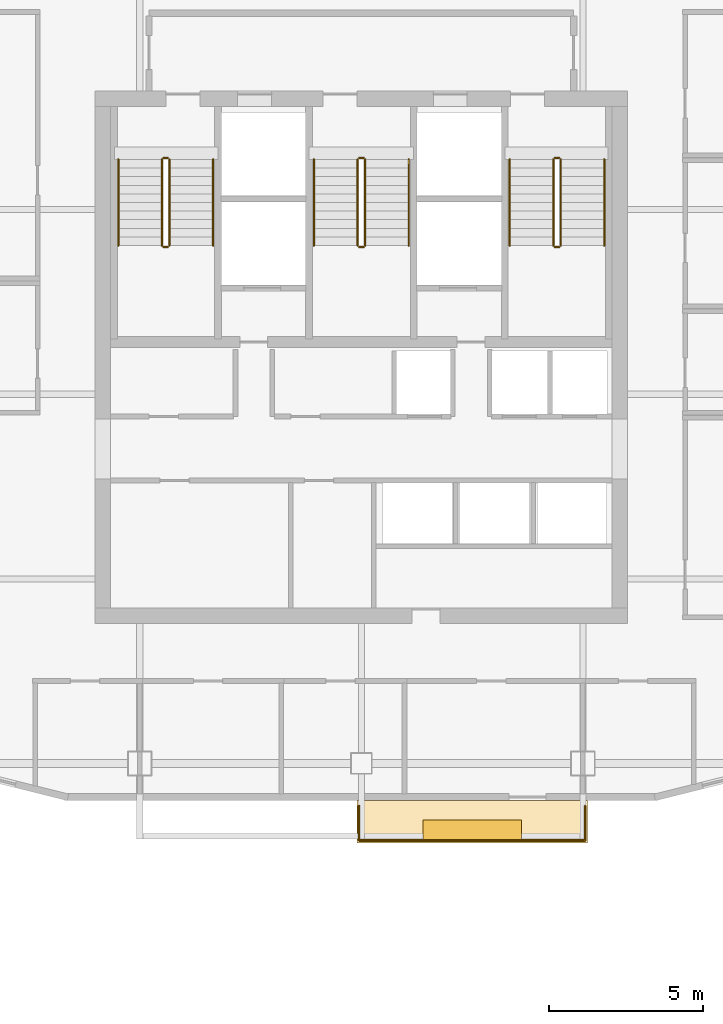
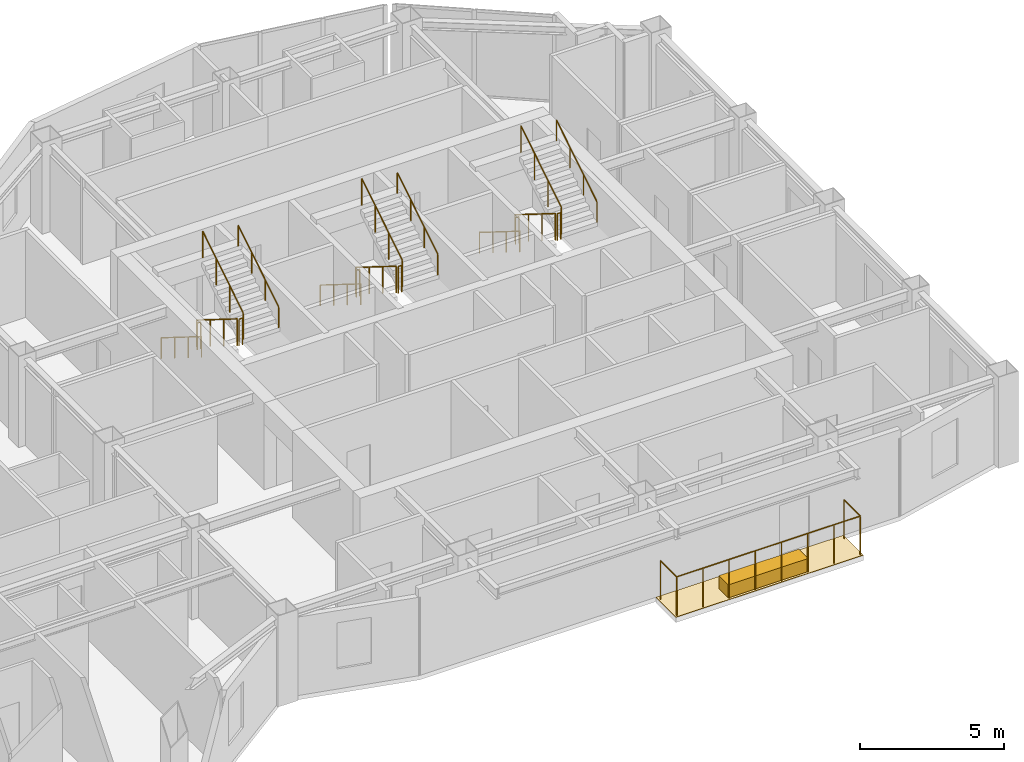
# One storey, part 10 of 10: 20 railings, 2 coverings.
"""IFC4 building model written with IfcOpenShell, lengths in metres."""

from ifc_helpers import new_model, si_unit, direction, frame, origin, origin_2d, place, context, subcontext, project, spatial, polyline, rectangle, circle, outline, extrude, material, layer, layer_set, type_object, element, save


model = new_model("IFC4")

# Units and contexts
model_context = context("Model", 3, precision=1e-05, world=origin(), true_north=direction((0.0, 1.0)))
body_context = subcontext(model_context, "Body", "Model", "MODEL_VIEW")
ifc_project = project(units=[si_unit("LENGTHUNIT", "METRE"), si_unit("AREAUNIT", "SQUARE_METRE"), si_unit("VOLUMEUNIT", "CUBIC_METRE"), si_unit("PLANEANGLEUNIT", "RADIAN"), si_unit("MASSUNIT", "GRAM", prefix="KILO")], contexts=[model_context])

# Site, building, storey
site_placement = place(None, origin())
site = spatial("IfcSite", under=ifc_project, at=site_placement, CompositionType="ELEMENT")
building_placement = place(site_placement, origin())
building = spatial("IfcBuilding", under=site, at=building_placement, Name="Haolan Belvedere Tower", CompositionType="ELEMENT")
storey_placement = place(building_placement, frame((0.0, 0.0, 258.300048828125)))
storey = spatial("IfcBuildingStorey", under=building, at=storey_placement, Name="L65", CompositionType="ELEMENT", Elevation=258.300048828125)

# Coverings
ifc_material_1 = material(Name="Engineered lightweight planted garden soil substrate", Category="masonry")
ifc_layer_1 = layer(ifc_material_1, 0.550048828125, Name="Engineered lightweight planted garden soil substrate")
ifc_layer_set_1 = layer_set([ifc_layer_1], Name="Engineered lightweight planted garden soil substrate")
covering_type_1 = type_object("IfcCoveringType", Name="COV-PLANT-550", PredefinedType="MEMBRANE", material=ifc_layer_set_1)
covering_1_placement = place(storey_placement, frame((42.0, 19.43994140625, 0.0), z_axis=(0.0, 0.0, 1.0), x_axis=(1.0, 0.0, 0.0)))
element("IfcCovering", 1, at=covering_1_placement, inside=storey, type_object=covering_type_1, Name="L65 structural tree balcony PLANTER box 1", PredefinedType="MEMBRANE", context=body_context, shape_type="SweptSolid", body=[
    extrude(rectangle(XDim=3.199951171875, YDim=0.64990234375, at=origin_2d()), origin(), (0.0, 0.0, 1.0), 0.550048828125),
])
ifc_material_2 = material(Name="Elastomeric waterproof roofing membrane and stone pavers", Category="masonry")
ifc_layer_2 = layer(ifc_material_2, 0.02001953125, Name="Elastomeric waterproof roofing membrane and stone pavers")
ifc_layer_set_2 = layer_set([ifc_layer_2], Name="Elastomeric waterproof roofing membrane and stone pavers")
covering_type_2 = type_object("IfcCoveringType", Name="COV-ROOF-20", PredefinedType="ROOFING", material=ifc_layer_set_2)
covering_2_placement = place(storey_placement, frame((0.0, 0.0, -0.02001953125)))
element("IfcCovering", 2, at=covering_2_placement, inside=storey, type_object=covering_type_2, Name="L65 tree-balcony waterproof membrane 1", PredefinedType="ROOFING", context=body_context, shape_type="SweptSolid", body=[
    extrude(outline(polyline([(38.25, 19.02001953125), (45.75, 19.02001953125), (45.75, 20.39990234375), (38.25, 20.39990234375), (38.25, 19.02001953125)])), origin(), (0.0, 0.0, 1.0), 0.02001953125),
])

# Railings
ifc_material_3 = material(Name="Brushed stainless steel 304", Category="steel")
railing_type_1 = type_object("IfcRailingType", Name="RL-STAIR-GRD-1150", PredefinedType="GUARDRAIL", material=ifc_material_3)
railing_1_placement = place(storey_placement, frame((31.919921875, 41.22998046875, 0.175048828125)))
element("IfcRailing", 3, at=railing_1_placement, inside=storey, type_object=railing_type_1, Name="L65 ST1 stair guard 1", PredefinedType="GUARDRAIL", context=body_context, shape_type="SweptSolid", body=[
    extrude(circle(Radius=0.02392578125, at=origin_2d()), frame((0.0, 0.0, 1.1259765625), z_axis=(0.0, -0.848002457836, 0.529992293815), x_axis=(1.0, 0.0, 0.0)), (0.0, 0.0, 1.0), 3.302001953125),
    extrude(circle(Radius=0.02099609375, at=origin_2d()), origin(), (0.0, 0.0, 1.0), 1.101806640625),
    extrude(circle(Radius=0.02099609375, at=origin_2d()), frame((0.0, -0.933349609375, 0.583251953125)), (0.0, 0.0, 1.0), 1.101806640625),
    extrude(circle(Radius=0.02099609375, at=origin_2d()), frame((0.0, -1.86669921875, 1.166748046875)), (0.0, 0.0, 1.0), 1.101806640625),
    extrude(circle(Radius=0.02099609375, at=origin_2d()), frame((0.0, -2.800048828125, 1.75)), (0.0, 0.0, 1.0), 1.101806640625),
])
railing_2_placement = place(storey_placement, frame((31.969970703125, 38.3798828125, 1.925048828125)))
element("IfcRailing", 4, at=railing_2_placement, inside=storey, type_object=railing_type_1, Name="L65 ST1 stair guard 2", PredefinedType="GUARDRAIL", context=body_context, shape_type="SweptSolid", body=[
    extrude(circle(Radius=0.02392578125, at=origin_2d()), frame((0.0, 0.0, 1.1259765625), z_axis=(1.0, 0.0, 0.0), x_axis=(0.0, 1.0, 0.0)), (0.0, 0.0, 1.0), 0.14013671875),
    extrude(circle(Radius=0.02099609375, at=origin_2d()), origin(), (0.0, 0.0, 1.0), 1.101806640625),
    extrude(circle(Radius=0.02099609375, at=origin_2d()), frame((0.14013671875, 0.0, 0.0)), (0.0, 0.0, 1.0), 1.101806640625),
])
railing_3_placement = place(storey_placement, frame((32.159912109375, 38.429931640625, 2.099853515625)))
element("IfcRailing", 5, at=railing_3_placement, inside=storey, type_object=railing_type_1, Name="L65 ST1 stair guard 3", PredefinedType="GUARDRAIL", context=body_context, shape_type="SweptSolid", body=[
    extrude(circle(Radius=0.02392578125, at=origin_2d()), frame((0.0, 0.0, 1.1259765625), z_axis=(0.0, 0.848002457836, 0.529992293815), x_axis=(-1.0, 0.0, 0.0)), (0.0, 0.0, 1.0), 3.302001953125),
    extrude(circle(Radius=0.02099609375, at=origin_2d()), origin(), (0.0, 0.0, 1.0), 1.101806640625),
    extrude(circle(Radius=0.02099609375, at=origin_2d()), frame((0.0, 0.933349609375, 0.583251953125)), (0.0, 0.0, 1.0), 1.101806640625),
    extrude(circle(Radius=0.02099609375, at=origin_2d()), frame((0.0, 1.86669921875, 1.166748046875)), (0.0, 0.0, 1.0), 1.101806640625),
    extrude(circle(Radius=0.02099609375, at=origin_2d()), frame((0.0, 2.800048828125, 1.75)), (0.0, 0.0, 1.0), 1.101806640625),
])
railing_4_placement = place(storey_placement, frame((31.969970703125, 41.280029296875, 0.0)))
element("IfcRailing", 6, at=railing_4_placement, inside=storey, type_object=railing_type_1, Name="L65 ST1 stair guard 4", PredefinedType="GUARDRAIL", context=body_context, shape_type="SweptSolid", body=[
    extrude(circle(Radius=0.02392578125, at=origin_2d()), frame((0.0, 0.0, 1.1259765625), z_axis=(1.0, 0.0, 0.0), x_axis=(0.0, 1.0, 0.0)), (0.0, 0.0, 1.0), 0.14013671875),
    extrude(circle(Radius=0.02099609375, at=origin_2d()), origin(), (0.0, 0.0, 1.0), 1.101806640625),
    extrude(circle(Radius=0.02099609375, at=origin_2d()), frame((0.14013671875, 0.0, 0.0)), (0.0, 0.0, 1.0), 1.101806640625),
])
railing_5_placement = place(storey_placement, frame((38.280029296875, 41.22998046875, 0.175048828125)))
element("IfcRailing", 7, at=railing_5_placement, inside=storey, type_object=railing_type_1, Name="L65 ST3 stair guard 1", PredefinedType="GUARDRAIL", context=body_context, shape_type="SweptSolid", body=[
    extrude(circle(Radius=0.02392578125, at=origin_2d()), frame((0.0, 0.0, 1.1259765625), z_axis=(0.0, -0.848002457836, 0.529992293815), x_axis=(1.0, 0.0, 0.0)), (0.0, 0.0, 1.0), 3.302001953125),
    extrude(circle(Radius=0.02099609375, at=origin_2d()), origin(), (0.0, 0.0, 1.0), 1.101806640625),
    extrude(circle(Radius=0.02099609375, at=origin_2d()), frame((0.0, -0.933349609375, 0.583251953125)), (0.0, 0.0, 1.0), 1.101806640625),
    extrude(circle(Radius=0.02099609375, at=origin_2d()), frame((0.0, -1.86669921875, 1.166748046875)), (0.0, 0.0, 1.0), 1.101806640625),
    extrude(circle(Radius=0.02099609375, at=origin_2d()), frame((0.0, -2.800048828125, 1.75)), (0.0, 0.0, 1.0), 1.101806640625),
])
railing_6_placement = place(storey_placement, frame((38.330078125, 38.3798828125, 1.925048828125)))
element("IfcRailing", 8, at=railing_6_placement, inside=storey, type_object=railing_type_1, Name="L65 ST3 stair guard 2", PredefinedType="GUARDRAIL", context=body_context, shape_type="SweptSolid", body=[
    extrude(circle(Radius=0.02392578125, at=origin_2d()), frame((0.0, 0.0, 1.1259765625), z_axis=(1.0, 0.0, 0.0), x_axis=(0.0, 1.0, 0.0)), (0.0, 0.0, 1.0), 0.139892578125),
    extrude(circle(Radius=0.02099609375, at=origin_2d()), origin(), (0.0, 0.0, 1.0), 1.101806640625),
    extrude(circle(Radius=0.02099609375, at=origin_2d()), frame((0.139892578125, 0.0, 0.0)), (0.0, 0.0, 1.0), 1.101806640625),
])
railing_7_placement = place(storey_placement, frame((38.52001953125, 38.429931640625, 2.099853515625)))
element("IfcRailing", 9, at=railing_7_placement, inside=storey, type_object=railing_type_1, Name="L65 ST3 stair guard 3", PredefinedType="GUARDRAIL", context=body_context, shape_type="SweptSolid", body=[
    extrude(circle(Radius=0.02392578125, at=origin_2d()), frame((0.0, 0.0, 1.1259765625), z_axis=(0.0, 0.848002457836, 0.529992293815), x_axis=(-1.0, 0.0, 0.0)), (0.0, 0.0, 1.0), 3.302001953125),
    extrude(circle(Radius=0.02099609375, at=origin_2d()), origin(), (0.0, 0.0, 1.0), 1.101806640625),
    extrude(circle(Radius=0.02099609375, at=origin_2d()), frame((0.0, 0.933349609375, 0.583251953125)), (0.0, 0.0, 1.0), 1.101806640625),
    extrude(circle(Radius=0.02099609375, at=origin_2d()), frame((0.0, 1.86669921875, 1.166748046875)), (0.0, 0.0, 1.0), 1.101806640625),
    extrude(circle(Radius=0.02099609375, at=origin_2d()), frame((0.0, 2.800048828125, 1.75)), (0.0, 0.0, 1.0), 1.101806640625),
])
railing_8_placement = place(storey_placement, frame((38.330078125, 41.280029296875, 0.0)))
element("IfcRailing", 10, at=railing_8_placement, inside=storey, type_object=railing_type_1, Name="L65 ST3 stair guard 4", PredefinedType="GUARDRAIL", context=body_context, shape_type="SweptSolid", body=[
    extrude(circle(Radius=0.02392578125, at=origin_2d()), frame((0.0, 0.0, 1.1259765625), z_axis=(1.0, 0.0, 0.0), x_axis=(0.0, 1.0, 0.0)), (0.0, 0.0, 1.0), 0.139892578125),
    extrude(circle(Radius=0.02099609375, at=origin_2d()), origin(), (0.0, 0.0, 1.0), 1.101806640625),
    extrude(circle(Radius=0.02099609375, at=origin_2d()), frame((0.139892578125, 0.0, 0.0)), (0.0, 0.0, 1.0), 1.101806640625),
])
railing_9_placement = place(storey_placement, frame((44.639892578125, 41.22998046875, 0.175048828125)))
element("IfcRailing", 11, at=railing_9_placement, inside=storey, type_object=railing_type_1, Name="L65 ST2 stair guard 1", PredefinedType="GUARDRAIL", context=body_context, shape_type="SweptSolid", body=[
    extrude(circle(Radius=0.02392578125, at=origin_2d()), frame((0.0, 0.0, 1.1259765625), z_axis=(0.0, -0.848002457836, 0.529992293815), x_axis=(1.0, 0.0, 0.0)), (0.0, 0.0, 1.0), 3.302001953125),
    extrude(circle(Radius=0.02099609375, at=origin_2d()), origin(), (0.0, 0.0, 1.0), 1.101806640625),
    extrude(circle(Radius=0.02099609375, at=origin_2d()), frame((0.0, -0.933349609375, 0.583251953125)), (0.0, 0.0, 1.0), 1.101806640625),
    extrude(circle(Radius=0.02099609375, at=origin_2d()), frame((0.0, -1.86669921875, 1.166748046875)), (0.0, 0.0, 1.0), 1.101806640625),
    extrude(circle(Radius=0.02099609375, at=origin_2d()), frame((0.0, -2.800048828125, 1.75)), (0.0, 0.0, 1.0), 1.101806640625),
])
railing_10_placement = place(storey_placement, frame((44.68994140625, 38.3798828125, 1.925048828125)))
element("IfcRailing", 12, at=railing_10_placement, inside=storey, type_object=railing_type_1, Name="L65 ST2 stair guard 2", PredefinedType="GUARDRAIL", context=body_context, shape_type="SweptSolid", body=[
    extrude(circle(Radius=0.02392578125, at=origin_2d()), frame((0.0, 0.0, 1.1259765625), z_axis=(1.0, 0.0, 0.0), x_axis=(0.0, 1.0, 0.0)), (0.0, 0.0, 1.0), 0.14013671875),
    extrude(circle(Radius=0.02099609375, at=origin_2d()), origin(), (0.0, 0.0, 1.0), 1.101806640625),
    extrude(circle(Radius=0.02099609375, at=origin_2d()), frame((0.14013671875, 0.0, 0.0)), (0.0, 0.0, 1.0), 1.101806640625),
])
railing_11_placement = place(storey_placement, frame((44.8798828125, 38.429931640625, 2.099853515625)))
element("IfcRailing", 13, at=railing_11_placement, inside=storey, type_object=railing_type_1, Name="L65 ST2 stair guard 3", PredefinedType="GUARDRAIL", context=body_context, shape_type="SweptSolid", body=[
    extrude(circle(Radius=0.02392578125, at=origin_2d()), frame((0.0, 0.0, 1.1259765625), z_axis=(0.0, 0.848002457836, 0.529992293815), x_axis=(-1.0, 0.0, 0.0)), (0.0, 0.0, 1.0), 3.302001953125),
    extrude(circle(Radius=0.02099609375, at=origin_2d()), origin(), (0.0, 0.0, 1.0), 1.101806640625),
    extrude(circle(Radius=0.02099609375, at=origin_2d()), frame((0.0, 0.933349609375, 0.583251953125)), (0.0, 0.0, 1.0), 1.101806640625),
    extrude(circle(Radius=0.02099609375, at=origin_2d()), frame((0.0, 1.86669921875, 1.166748046875)), (0.0, 0.0, 1.0), 1.101806640625),
    extrude(circle(Radius=0.02099609375, at=origin_2d()), frame((0.0, 2.800048828125, 1.75)), (0.0, 0.0, 1.0), 1.101806640625),
])
railing_12_placement = place(storey_placement, frame((44.68994140625, 41.280029296875, 0.0)))
element("IfcRailing", 14, at=railing_12_placement, inside=storey, type_object=railing_type_1, Name="L65 ST2 stair guard 4", PredefinedType="GUARDRAIL", context=body_context, shape_type="SweptSolid", body=[
    extrude(circle(Radius=0.02392578125, at=origin_2d()), frame((0.0, 0.0, 1.1259765625), z_axis=(1.0, 0.0, 0.0), x_axis=(0.0, 1.0, 0.0)), (0.0, 0.0, 1.0), 0.14013671875),
    extrude(circle(Radius=0.02099609375, at=origin_2d()), origin(), (0.0, 0.0, 1.0), 1.101806640625),
    extrude(circle(Radius=0.02099609375, at=origin_2d()), frame((0.14013671875, 0.0, 0.0)), (0.0, 0.0, 1.0), 1.101806640625),
])
railing_type_2 = type_object("IfcRailingType", Name="RL-STAIR-HND-900", PredefinedType="HANDRAIL", material=ifc_material_3)
railing_13_placement = place(storey_placement, frame((30.5, 41.22998046875, 0.175048828125)))
element("IfcRailing", 15, at=railing_13_placement, inside=storey, type_object=railing_type_2, Name="L65 ST1 stair handrail 1", PredefinedType="HANDRAIL", context=body_context, shape_type="SweptSolid", body=[
    extrude(circle(Radius=0.02392578125, at=origin_2d()), frame((0.0, 0.0, 0.8759765625), z_axis=(0.0, -0.848002457836, 0.529992293815), x_axis=(1.0, 0.0, 0.0)), (0.0, 0.0, 1.0), 3.302001953125),
    extrude(circle(Radius=0.02099609375, at=origin_2d()), origin(), (0.0, 0.0, 1.0), 0.851806640625),
    extrude(circle(Radius=0.02099609375, at=origin_2d()), frame((0.0, -0.933349609375, 0.583251953125)), (0.0, 0.0, 1.0), 0.851806640625),
    extrude(circle(Radius=0.02099609375, at=origin_2d()), frame((0.0, -1.86669921875, 1.166748046875)), (0.0, 0.0, 1.0), 0.851806640625),
    extrude(circle(Radius=0.02099609375, at=origin_2d()), frame((0.0, -2.800048828125, 1.75)), (0.0, 0.0, 1.0), 0.851806640625),
])
railing_14_placement = place(storey_placement, frame((33.580078125, 38.429931640625, 2.099853515625)))
element("IfcRailing", 16, at=railing_14_placement, inside=storey, type_object=railing_type_2, Name="L65 ST1 stair handrail 2", PredefinedType="HANDRAIL", context=body_context, shape_type="SweptSolid", body=[
    extrude(circle(Radius=0.02392578125, at=origin_2d()), frame((0.0, 0.0, 0.8759765625), z_axis=(0.0, 0.848002457836, 0.529992293815), x_axis=(-1.0, 0.0, 0.0)), (0.0, 0.0, 1.0), 3.302001953125),
    extrude(circle(Radius=0.02099609375, at=origin_2d()), origin(), (0.0, 0.0, 1.0), 0.851806640625),
    extrude(circle(Radius=0.02099609375, at=origin_2d()), frame((0.0, 0.933349609375, 0.583251953125)), (0.0, 0.0, 1.0), 0.851806640625),
    extrude(circle(Radius=0.02099609375, at=origin_2d()), frame((0.0, 1.86669921875, 1.166748046875)), (0.0, 0.0, 1.0), 0.851806640625),
    extrude(circle(Radius=0.02099609375, at=origin_2d()), frame((0.0, 2.800048828125, 1.75)), (0.0, 0.0, 1.0), 0.851806640625),
])
railing_15_placement = place(storey_placement, frame((36.860107421875, 41.22998046875, 0.175048828125)))
element("IfcRailing", 17, at=railing_15_placement, inside=storey, type_object=railing_type_2, Name="L65 ST3 stair handrail 1", PredefinedType="HANDRAIL", context=body_context, shape_type="SweptSolid", body=[
    extrude(circle(Radius=0.02392578125, at=origin_2d()), frame((0.0, 0.0, 0.8759765625), z_axis=(0.0, -0.848002457836, 0.529992293815), x_axis=(1.0, 0.0, 0.0)), (0.0, 0.0, 1.0), 3.302001953125),
    extrude(circle(Radius=0.02099609375, at=origin_2d()), origin(), (0.0, 0.0, 1.0), 0.851806640625),
    extrude(circle(Radius=0.02099609375, at=origin_2d()), frame((0.0, -0.933349609375, 0.583251953125)), (0.0, 0.0, 1.0), 0.851806640625),
    extrude(circle(Radius=0.02099609375, at=origin_2d()), frame((0.0, -1.86669921875, 1.166748046875)), (0.0, 0.0, 1.0), 0.851806640625),
    extrude(circle(Radius=0.02099609375, at=origin_2d()), frame((0.0, -2.800048828125, 1.75)), (0.0, 0.0, 1.0), 0.851806640625),
])
railing_16_placement = place(storey_placement, frame((39.93994140625, 38.429931640625, 2.099853515625)))
element("IfcRailing", 18, at=railing_16_placement, inside=storey, type_object=railing_type_2, Name="L65 ST3 stair handrail 2", PredefinedType="HANDRAIL", context=body_context, shape_type="SweptSolid", body=[
    extrude(circle(Radius=0.02392578125, at=origin_2d()), frame((0.0, 0.0, 0.8759765625), z_axis=(0.0, 0.848002457836, 0.529992293815), x_axis=(-1.0, 0.0, 0.0)), (0.0, 0.0, 1.0), 3.302001953125),
    extrude(circle(Radius=0.02099609375, at=origin_2d()), origin(), (0.0, 0.0, 1.0), 0.851806640625),
    extrude(circle(Radius=0.02099609375, at=origin_2d()), frame((0.0, 0.933349609375, 0.583251953125)), (0.0, 0.0, 1.0), 0.851806640625),
    extrude(circle(Radius=0.02099609375, at=origin_2d()), frame((0.0, 1.86669921875, 1.166748046875)), (0.0, 0.0, 1.0), 0.851806640625),
    extrude(circle(Radius=0.02099609375, at=origin_2d()), frame((0.0, 2.800048828125, 1.75)), (0.0, 0.0, 1.0), 0.851806640625),
])
railing_17_placement = place(storey_placement, frame((43.219970703125, 41.22998046875, 0.175048828125)))
element("IfcRailing", 19, at=railing_17_placement, inside=storey, type_object=railing_type_2, Name="L65 ST2 stair handrail 1", PredefinedType="HANDRAIL", context=body_context, shape_type="SweptSolid", body=[
    extrude(circle(Radius=0.02392578125, at=origin_2d()), frame((0.0, 0.0, 0.8759765625), z_axis=(0.0, -0.848002457836, 0.529992293815), x_axis=(1.0, 0.0, 0.0)), (0.0, 0.0, 1.0), 3.302001953125),
    extrude(circle(Radius=0.02099609375, at=origin_2d()), origin(), (0.0, 0.0, 1.0), 0.851806640625),
    extrude(circle(Radius=0.02099609375, at=origin_2d()), frame((0.0, -0.933349609375, 0.583251953125)), (0.0, 0.0, 1.0), 0.851806640625),
    extrude(circle(Radius=0.02099609375, at=origin_2d()), frame((0.0, -1.86669921875, 1.166748046875)), (0.0, 0.0, 1.0), 0.851806640625),
    extrude(circle(Radius=0.02099609375, at=origin_2d()), frame((0.0, -2.800048828125, 1.75)), (0.0, 0.0, 1.0), 0.851806640625),
])
railing_18_placement = place(storey_placement, frame((46.300048828125, 38.429931640625, 2.099853515625)))
element("IfcRailing", 20, at=railing_18_placement, inside=storey, type_object=railing_type_2, Name="L65 ST2 stair handrail 2", PredefinedType="HANDRAIL", context=body_context, shape_type="SweptSolid", body=[
    extrude(circle(Radius=0.02392578125, at=origin_2d()), frame((0.0, 0.0, 0.8759765625), z_axis=(0.0, 0.848002457836, 0.529992293815), x_axis=(-1.0, 0.0, 0.0)), (0.0, 0.0, 1.0), 3.302001953125),
    extrude(circle(Radius=0.02099609375, at=origin_2d()), origin(), (0.0, 0.0, 1.0), 0.851806640625),
    extrude(circle(Radius=0.02099609375, at=origin_2d()), frame((0.0, 0.933349609375, 0.583251953125)), (0.0, 0.0, 1.0), 0.851806640625),
    extrude(circle(Radius=0.02099609375, at=origin_2d()), frame((0.0, 1.86669921875, 1.166748046875)), (0.0, 0.0, 1.0), 0.851806640625),
    extrude(circle(Radius=0.02099609375, at=origin_2d()), frame((0.0, 2.800048828125, 1.75)), (0.0, 0.0, 1.0), 0.851806640625),
])
ifc_material_4 = material(Name="Anodised aluminium and laminated glass balustrade", Category="aluminium")
railing_type_3 = type_object("IfcRailingType", Name="RL-TER-BAL-1150", PredefinedType="BALUSTRADE", material=ifc_material_4)
railing_19_placement = place(storey_placement, frame((38.330078125, 19.10009765625, 0.0)))
element("IfcRailing", 21, at=railing_19_placement, inside=storey, type_object=railing_type_3, Name="L65 outdoor perimeter balustrade BAL-L65-1-1", PredefinedType="BALUSTRADE", context=body_context, shape_type="SweptSolid", body=[
    extrude(circle(Radius=0.02392578125, at=origin_2d()), frame((0.0, 0.0, 1.6259765625), z_axis=(0.0, 1.0, 0.0), x_axis=(-1.0, 0.0, 0.0)), (0.0, 0.0, 1.0), 1.119873046875),
    extrude(circle(Radius=0.02099609375, at=origin_2d()), origin(), (0.0, 0.0, 1.0), 1.601806640625),
    extrude(circle(Radius=0.02099609375, at=origin_2d()), frame((0.0, 1.119873046875, 0.0)), (0.0, 0.0, 1.0), 1.601806640625),
])
railing_20_placement = place(storey_placement, frame((45.669921875, 20.219970703125, 0.0)))
element("IfcRailing", 22, at=railing_20_placement, inside=storey, type_object=railing_type_3, Name="L65 outdoor perimeter balustrade BAL-L65-1-2", PredefinedType="BALUSTRADE", context=body_context, shape_type="SweptSolid", body=[
    extrude(circle(Radius=0.02392578125, at=origin_2d()), frame((0.0, 0.0, 1.6259765625), z_axis=(0.0, -1.0, 0.0), x_axis=(1.0, 0.0, 0.0)), (0.0, 0.0, 1.0), 1.119873046875),
    extrude(circle(Radius=0.02392578125, at=origin_2d()), frame((0.0, -1.119873046875, 1.6259765625), z_axis=(-1.0, 0.0, 0.0), x_axis=(0.0, -1.0, 0.0)), (0.0, 0.0, 1.0), 7.33984375),
    extrude(circle(Radius=0.02099609375, at=origin_2d()), origin(), (0.0, 0.0, 1.0), 1.601806640625),
    extrude(circle(Radius=0.02099609375, at=origin_2d()), frame((0.0, -1.119873046875, 0.0)), (0.0, 0.0, 1.0), 1.601806640625),
    extrude(circle(Radius=0.02099609375, at=origin_2d()), frame((-1.048583984375, -1.119873046875, 0.0)), (0.0, 0.0, 1.0), 1.601806640625),
    extrude(circle(Radius=0.02099609375, at=origin_2d()), frame((-2.09716796875, -1.119873046875, 0.0)), (0.0, 0.0, 1.0), 1.601806640625),
    extrude(circle(Radius=0.02099609375, at=origin_2d()), frame((-3.145751953125, -1.119873046875, 0.0)), (0.0, 0.0, 1.0), 1.601806640625),
    extrude(circle(Radius=0.02099609375, at=origin_2d()), frame((-4.194091796875, -1.119873046875, 0.0)), (0.0, 0.0, 1.0), 1.601806640625),
    extrude(circle(Radius=0.02099609375, at=origin_2d()), frame((-5.24267578125, -1.119873046875, 0.0)), (0.0, 0.0, 1.0), 1.601806640625),
    extrude(circle(Radius=0.02099609375, at=origin_2d()), frame((-6.291259765625, -1.119873046875, 0.0)), (0.0, 0.0, 1.0), 1.601806640625),
    extrude(circle(Radius=0.02099609375, at=origin_2d()), frame((-7.33984375, -1.119873046875, 0.0)), (0.0, 0.0, 1.0), 1.601806640625),
])

save(model, "model.ifc")
